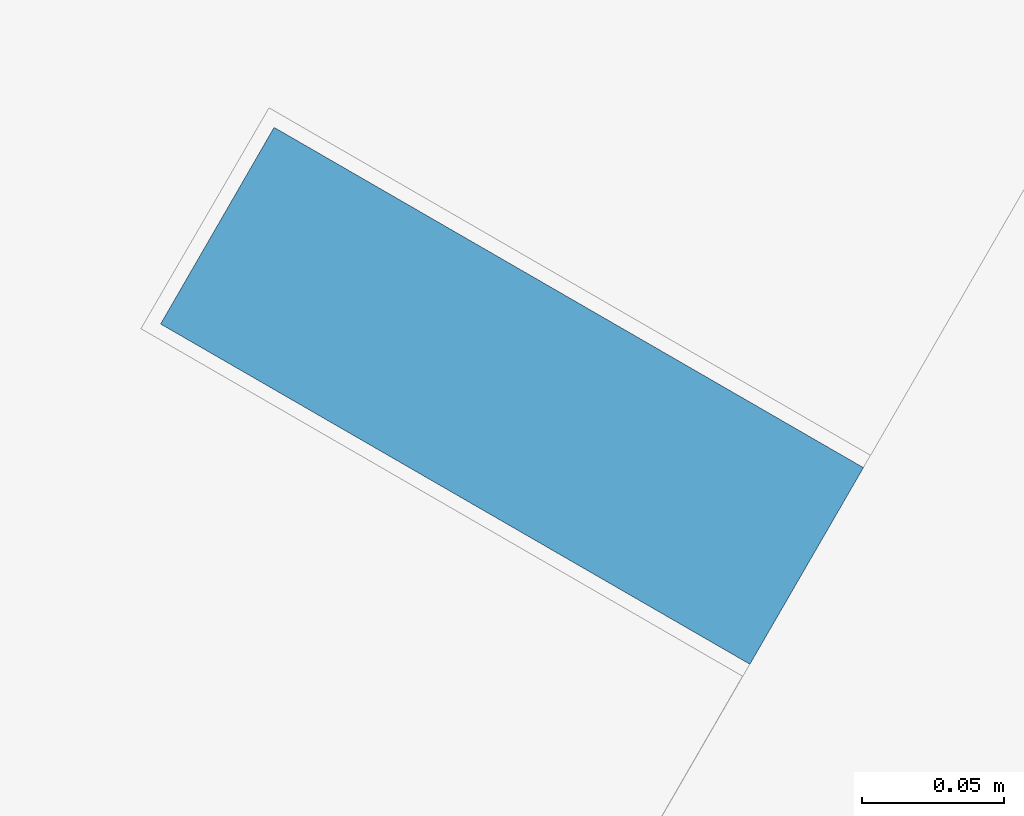
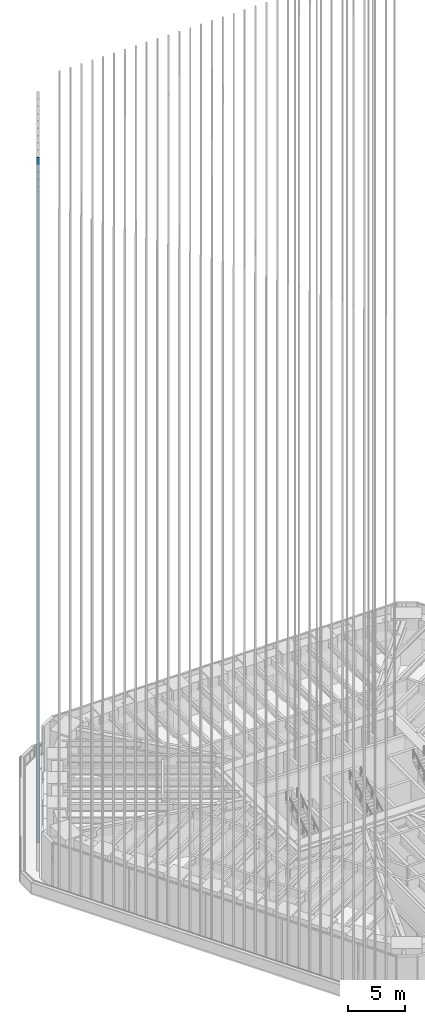
# One storey, part 138 of 228: 1 member, 1 element without a shape of its own.
"""IFC4 building model written with IfcOpenShell, lengths in metres."""

from ifc_helpers import new_model, si_unit, direction, frame, origin, origin_2d, place, context, subcontext, project, spatial, rectangle, extrude, material, material_profile, profile_set, type_object, element, aggregate, save


model = new_model("IFC4")

# Units and contexts
model_context = context("Model", 3, precision=1e-05, world=origin(), true_north=direction((0.0, 1.0)))
body_context = subcontext(model_context, "Body", "Model", "MODEL_VIEW")
ifc_project = project(units=[si_unit("LENGTHUNIT", "METRE"), si_unit("AREAUNIT", "SQUARE_METRE"), si_unit("VOLUMEUNIT", "CUBIC_METRE"), si_unit("PLANEANGLEUNIT", "RADIAN"), si_unit("MASSUNIT", "GRAM", prefix="KILO")], contexts=[model_context])

# Site, building, storey
site_placement = place(None, origin())
site = spatial("IfcSite", under=ifc_project, at=site_placement, CompositionType="ELEMENT")
building_placement = place(site_placement, origin())
building = spatial("IfcBuilding", under=site, at=building_placement, Name="Sandreach Pilgrim Tower", CompositionType="ELEMENT")
storey_placement = place(building_placement, frame((0.0, 0.0, 178.199951171875)))
storey = spatial("IfcBuildingStorey", under=building, at=storey_placement, Name="L44", CompositionType="ELEMENT", Elevation=178.199951171875)

# Curtain wall, member
ifc_material_1 = material(Name="Aluminium framed curtain wall", Category="aluminium")
curtain_wall_type = type_object("IfcCurtainWallType", Name="Upper hotel tower curtain wall", PredefinedType="NOTDEFINED", material=ifc_material_1)
curtain_wall_placement = place(storey_placement, origin())
curtain_wall = element("IfcCurtainWall", 1, at=curtain_wall_placement, inside=storey, type_object=curtain_wall_type, Name="CW-3 L44 NW", PredefinedType="NOTDEFINED")
ifc_material_2 = material(Name="Extruded terracotta on aluminium core", Category="masonry")
ifc_material_profile = material_profile(ifc_material_2, rectangle(XDim=0.080078125, YDim=0.239990234375, at=origin_2d()), Name="TBW 80X240")
ifc_profile_set = profile_set([ifc_material_profile], Name="Extruded terracotta on aluminium core")
member_type = type_object("IfcMemberType", Name="Terracotta baguette west", PredefinedType="USERDEFINED", material=ifc_profile_set)
member_placement = place(storey_placement, frame((-24.72509765625, 11.06494140625, 0.0), z_axis=(0.0, 0.0, 1.0), x_axis=(0.5, 0.866025403784, 0.0)))
member = element("IfcMember", 2, at=member_placement, type_object=member_type, Name="Baguette Z3 NW05", ObjectType="BAGUETTE", PredefinedType="USERDEFINED", context=body_context, shape_type="SweptSolid", body=[
    extrude(rectangle(XDim=0.080078125, YDim=0.239990234375, at=origin_2d()), origin(), (0.0, 0.0, 1.0), 73.239990234375),
])
aggregate(curtain_wall, [member])

save(model, "model.ifc")
